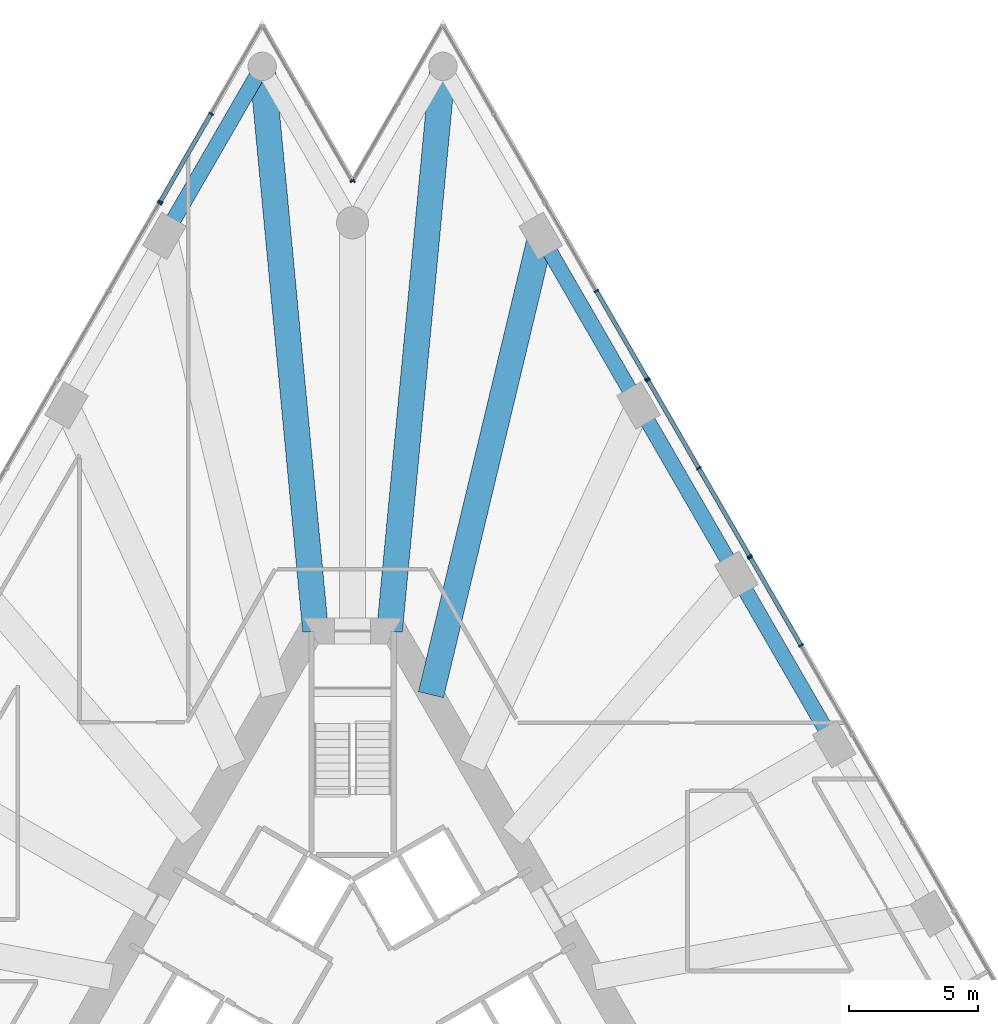
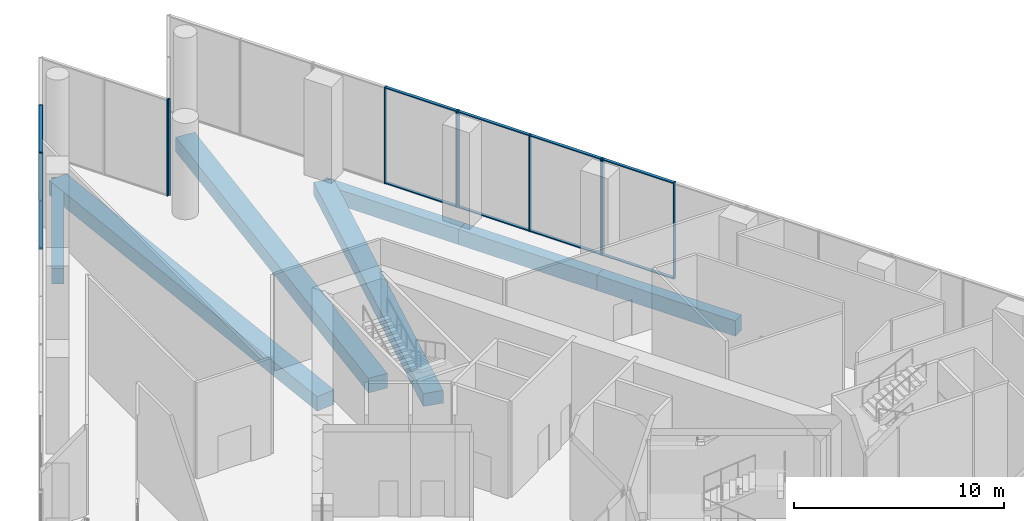
# One storey, part 17 of 36: 22 members, 7 beams, 7 elements without a shape of their own.
"""IFC4 building model written with IfcOpenShell, lengths in metres."""

from ifc_helpers import new_model, si_unit, direction, frame, origin, origin_2d, place, context, subcontext, project, spatial, rectangle, extrude, material, layer, layer_set, material_profile, profile_set, type_object, element, aggregate, save


model = new_model("IFC4")

# Units and contexts
model_context = context("Model", 3, precision=1e-05, world=origin(), true_north=direction((0.0, 1.0)))
body_context = subcontext(model_context, "Body", "Model", "MODEL_VIEW")
ifc_project = project(units=[si_unit("LENGTHUNIT", "METRE"), si_unit("AREAUNIT", "SQUARE_METRE"), si_unit("VOLUMEUNIT", "CUBIC_METRE"), si_unit("PLANEANGLEUNIT", "RADIAN"), si_unit("MASSUNIT", "GRAM", prefix="KILO")], contexts=[model_context])

# Site, building, storey
site_placement = place(None, origin())
site = spatial("IfcSite", under=ifc_project, at=site_placement, CompositionType="ELEMENT")
building_placement = place(site_placement, origin())
building = spatial("IfcBuilding", under=site, at=building_placement, Name="Triada Interchange Tower", CompositionType="ELEMENT")
storey_placement = place(building_placement, frame((0.0, 0.0, 8.5)))
storey = spatial("IfcBuildingStorey", under=building, at=storey_placement, Name="L01", CompositionType="ELEMENT", Elevation=8.5)

# Curtain wall, members
ifc_material_1 = material(Name="Aluminium framed glazing", Category="aluminium")
ifc_layer_1 = layer(ifc_material_1, 0.199951171875)
ifc_layer_set_1 = layer_set([ifc_layer_1], Name="Curtain wall Concourse glazed screen")
curtain_wall_type_1 = type_object("IfcCurtainWallType", Name="Curtain wall Concourse glazed screen", PredefinedType="NOTDEFINED", material=ifc_layer_set_1)
curtain_wall_1_placement = place(storey_placement, origin())
curtain_wall_1 = element("IfcCurtainWall", 1, at=curtain_wall_1_placement, inside=storey, type_object=curtain_wall_type_1, Name="Concourse glazed screen CW021 L01", PredefinedType="NOTDEFINED")
ifc_material_2 = material(Name="Aluminium", Category="aluminium")
ifc_material_profile_1 = material_profile(ifc_material_2, rectangle(XDim=0.199951171875, YDim=0.06005859375, at=origin_2d()), Name="Aluminium mullion")
ifc_profile_set_1 = profile_set([ifc_material_profile_1], Name="Aluminium")
member_type_1 = type_object("IfcMemberType", Name="Mullion Concourse glazed screen 200x60", PredefinedType="MULLION", material=ifc_profile_set_1)
member_1_placement = place(storey_placement, frame((17.41259765625, 14.640380859375, 0.0), z_axis=(0.0, 0.0, 1.0), x_axis=(-0.866086968603, -0.499893351442, 0.0)))
member_1 = element("IfcMember", 2, at=member_1_placement, type_object=member_type_1, Name="CW021 mullion 2", PredefinedType="MULLION", context=body_context, shape_type="SweptSolid", body=[
    extrude(rectangle(XDim=0.199951171875, YDim=0.06005859375, at=origin_2d()), origin(), (0.0, 0.0, 1.0), 5.60009765625),
])
member_2_placement = place(storey_placement, frame((15.444091796875, 18.051025390625, 0.0), z_axis=(0.0, 0.0, 1.0), x_axis=(-0.866086968603, -0.499893351442, 0.0)))
member_2 = element("IfcMember", 3, at=member_2_placement, type_object=member_type_1, Name="CW021 mullion 3", PredefinedType="MULLION", context=body_context, shape_type="SweptSolid", body=[
    extrude(rectangle(XDim=0.199951171875, YDim=0.06005859375, at=origin_2d()), origin(), (0.0, 0.0, 1.0), 5.60009765625),
])

curtain_wall_2_placement = place(storey_placement, origin())
curtain_wall_2 = element("IfcCurtainWall", 4, at=curtain_wall_2_placement, inside=storey, type_object=curtain_wall_type_1, Name="Concourse glazed screen CW022 L01", PredefinedType="NOTDEFINED")
member_3_placement = place(storey_placement, frame((15.407958984375, 18.112060546875, 0.0), z_axis=(0.0, 0.0, 1.0), x_axis=(-0.866055473648, -0.499947913852, 0.0)))
member_3 = element("IfcMember", 5, at=member_3_placement, type_object=member_type_1, Name="CW022 mullion 1", PredefinedType="MULLION", context=body_context, shape_type="SweptSolid", body=[
    extrude(rectangle(XDim=0.199951171875, YDim=0.06005859375, at=origin_2d()), origin(), (0.0, 0.0, 1.0), 5.60009765625),
])
member_4_placement = place(storey_placement, frame((13.439453125, 21.52197265625, 0.0), z_axis=(0.0, 0.0, 1.0), x_axis=(-0.866055473648, -0.499947913852, 0.0)))
member_4 = element("IfcMember", 6, at=member_4_placement, type_object=member_type_1, Name="CW022 mullion 2", PredefinedType="MULLION", context=body_context, shape_type="SweptSolid", body=[
    extrude(rectangle(XDim=0.199951171875, YDim=0.06005859375, at=origin_2d()), origin(), (0.0, 0.0, 1.0), 5.60009765625),
])
member_5_placement = place(storey_placement, frame((11.470947265625, 24.93212890625, 0.0), z_axis=(0.0, 0.0, 1.0), x_axis=(-0.866055473648, -0.499947913852, 0.0)))
member_5 = element("IfcMember", 7, at=member_5_placement, type_object=member_type_1, Name="CW022 mullion 3", PredefinedType="MULLION", context=body_context, shape_type="SweptSolid", body=[
    extrude(rectangle(XDim=0.199951171875, YDim=0.06005859375, at=origin_2d()), origin(), (0.0, 0.0, 1.0), 5.60009765625),
])

curtain_wall_3_placement = place(storey_placement, origin())
curtain_wall_3 = element("IfcCurtainWall", 8, at=curtain_wall_3_placement, inside=storey, type_object=curtain_wall_type_1, Name="Concourse glazed screen CW023 L01", PredefinedType="NOTDEFINED")
member_6_placement = place(storey_placement, frame((11.43505859375, 24.992919921875, 0.0), z_axis=(0.0, 0.0, 1.0), x_axis=(-0.866055473648, -0.499947913852, 0.0)))
member_6 = element("IfcMember", 9, at=member_6_placement, type_object=member_type_1, Name="CW023 mullion 1", PredefinedType="MULLION", context=body_context, shape_type="SweptSolid", body=[
    extrude(rectangle(XDim=0.199951171875, YDim=0.06005859375, at=origin_2d()), origin(), (0.0, 0.0, 1.0), 5.60009765625),
])
member_7_placement = place(storey_placement, frame((9.466552734375, 28.403076171875, 0.0), z_axis=(0.0, 0.0, 1.0), x_axis=(-0.866055473648, -0.499947913852, 0.0)))
member_7 = element("IfcMember", 10, at=member_7_placement, type_object=member_type_1, Name="CW023 mullion 2", PredefinedType="MULLION", context=body_context, shape_type="SweptSolid", body=[
    extrude(rectangle(XDim=0.199951171875, YDim=0.06005859375, at=origin_2d()), origin(), (0.0, 0.0, 1.0), 5.60009765625),
])

curtain_wall_4_placement = place(storey_placement, origin())
curtain_wall_4 = element("IfcCurtainWall", 11, at=curtain_wall_4_placement, inside=storey, type_object=curtain_wall_type_1, Name="Concourse glazed screen CW027 L01", PredefinedType="NOTDEFINED")
member_8_placement = place(storey_placement, frame((-5.491943359375, 35.28662109375, 0.0), z_axis=(0.0, 0.0, 1.0), x_axis=(0.86604927658, -0.499958648825, 0.0)))
member_8 = element("IfcMember", 12, at=member_8_placement, type_object=member_type_1, Name="CW027 mullion 2", PredefinedType="MULLION", context=body_context, shape_type="SweptSolid", body=[
    extrude(rectangle(XDim=0.199951171875, YDim=0.06005859375, at=origin_2d()), origin(), (0.0, 0.0, 1.0), 5.60009765625),
])
member_9_placement = place(storey_placement, frame((-7.4619140625, 31.8740234375, 0.0), z_axis=(0.0, 0.0, 1.0), x_axis=(0.86604927658, -0.499958648825, 0.0)))
member_9 = element("IfcMember", 13, at=member_9_placement, type_object=member_type_1, Name="CW027 mullion 3", PredefinedType="MULLION", context=body_context, shape_type="SweptSolid", body=[
    extrude(rectangle(XDim=0.199951171875, YDim=0.06005859375, at=origin_2d()), origin(), (0.0, 0.0, 1.0), 5.60009765625),
])

# Curtain wall, member
curtain_wall_5_placement = place(storey_placement, origin())
curtain_wall_5 = element("IfcCurtainWall", 14, at=curtain_wall_5_placement, inside=storey, type_object=curtain_wall_type_1, Name="Concourse glazed screen CW028 L01", PredefinedType="NOTDEFINED")
member_10_placement = place(storey_placement, frame((-7.498046875, 31.81298828125, 0.0), z_axis=(0.0, 0.0, 1.0), x_axis=(0.866055473648, -0.499947913852, 0.0)))
member_10 = element("IfcMember", 15, at=member_10_placement, type_object=member_type_1, Name="CW028 mullion 1", PredefinedType="MULLION", context=body_context, shape_type="SweptSolid", body=[
    extrude(rectangle(XDim=0.199951171875, YDim=0.06005859375, at=origin_2d()), origin(), (0.0, 0.0, 1.0), 5.60009765625),
])
aggregate(curtain_wall_5, [member_10])

ifc_layer_2 = layer(ifc_material_1, 0.199951171875)
ifc_layer_set_2 = layer_set([ifc_layer_2], Name="Curtain wall Tower lobby glazing")
curtain_wall_type_2 = type_object("IfcCurtainWallType", Name="Curtain wall Tower lobby glazing", PredefinedType="NOTDEFINED", material=ifc_layer_set_2)
curtain_wall_6_placement = place(storey_placement, origin())
curtain_wall_6 = element("IfcCurtainWall", 16, at=curtain_wall_6_placement, inside=storey, type_object=curtain_wall_type_2, Name="Tower lobby glazing CW025 L01", PredefinedType="NOTDEFINED")
ifc_material_profile_2 = material_profile(ifc_material_2, rectangle(XDim=0.179931640625, YDim=0.06005859375, at=origin_2d()), Name="Aluminium mullion")
ifc_profile_set_2 = profile_set([ifc_material_profile_2], Name="Aluminium")
member_type_2 = type_object("IfcMemberType", Name="Mullion Tower lobby glazing 180x60", PredefinedType="MULLION", material=ifc_profile_set_2)
member_11_placement = place(storey_placement, frame((0.014892578125, 32.676025390625, 0.0), z_axis=(0.0, 0.0, 1.0), x_axis=(0.866050272896, -0.499956922962, 0.0)))
member_11 = element("IfcMember", 17, at=member_11_placement, type_object=member_type_2, Name="CW025 mullion 3", PredefinedType="MULLION", context=body_context, shape_type="SweptSolid", body=[
    extrude(rectangle(XDim=0.179931640625, YDim=0.06005859375, at=origin_2d()), origin(), (0.0, 0.0, 1.0), 5.60009765625),
])
aggregate(curtain_wall_6, [member_11])

curtain_wall_7_placement = place(storey_placement, origin())
curtain_wall_7 = element("IfcCurtainWall", 18, at=curtain_wall_7_placement, inside=storey, type_object=curtain_wall_type_2, Name="Tower lobby glazing CW026 L01", PredefinedType="NOTDEFINED")
member_12_placement = place(storey_placement, frame((-0.014892578125, 32.676025390625, 0.0), z_axis=(0.0, 0.0, 1.0), x_axis=(-0.866050272896, -0.499956922962, 0.0)))
member_12 = element("IfcMember", 19, at=member_12_placement, type_object=member_type_2, Name="CW026 mullion 1", PredefinedType="MULLION", context=body_context, shape_type="SweptSolid", body=[
    extrude(rectangle(XDim=0.179931640625, YDim=0.06005859375, at=origin_2d()), origin(), (0.0, 0.0, 1.0), 5.60009765625),
])
aggregate(curtain_wall_7, [member_12])

# Beams
ifc_material_3 = material(Name="Concrete C50/60", Category="concrete")
ifc_material_profile_3 = material_profile(ifc_material_3, rectangle(XDim=1.0, YDim=0.75, at=origin_2d()), Name="RC 1000x750")
ifc_profile_set_3 = profile_set([ifc_material_profile_3], Name="Concrete C50/60")
beam_type_1 = type_object("IfcBeamType", Name="Radial band beam P RC 1000x750", PredefinedType="BEAM", material=ifc_profile_set_3)
beam_1_placement = place(storey_placement, frame((7.306884765625, 30.5439453125, -0.77490234375), z_axis=(-0.232645559645, -0.972561588578, 0.0), x_axis=(0.972561588578, -0.232645559645, 0.0)))
element("IfcBeam", 20, at=beam_1_placement, inside=storey, type_object=beam_type_1, Name="Radial band beam BP28 L01", PredefinedType="BEAM", context=body_context, shape_type="SweptSolid", body=[
    extrude(rectangle(XDim=1.0, YDim=0.75, at=origin_2d()), origin(), (0.0, 0.0, 1.0), 18.319580078125),
])
ifc_material_profile_4 = material_profile(ifc_material_3, rectangle(XDim=1.0, YDim=0.85009765625, at=origin_2d()), Name="RC 1000x850")
ifc_profile_set_4 = profile_set([ifc_material_profile_4], Name="Concrete C50/60")
beam_type_2 = type_object("IfcBeamType", Name="Radial band beam P RC 1000x850", PredefinedType="BEAM", material=ifc_profile_set_4)
for number, where, z_axis, x_axis, name in (
    (21, (-3.507080078125, 37.125, -0.824951171875), (0.094041597071, -0.99556826889, 0.0), (0.99556826889, 0.094041597071, 0.0), "Radial band beam BP01 L01"),
    (22, (3.507080078125, 37.125, -0.824951171875), (-0.094041597071, -0.99556826889, 0.0), (0.99556826889, -0.094041597071, 0.0), "Radial band beam BP29 L01"),
):
    element("IfcBeam", number, at=place(storey_placement, frame(where, z_axis=z_axis, x_axis=x_axis)), inside=storey, type_object=beam_type_2, Name=name, PredefinedType="BEAM", context=body_context, shape_type="SweptSolid", body=[
        extrude(rectangle(XDim=1.0, YDim=0.85009765625, at=origin_2d()), origin(), (0.0, 0.0, 1.0), 22.022705078125),
    ])
ifc_material_profile_5 = material_profile(ifc_material_3, rectangle(XDim=0.60009765625, YDim=0.89990234375, at=origin_2d()), Name="RC 600x900")
ifc_profile_set_5 = profile_set([ifc_material_profile_5], Name="Concrete C50/60")
beam_type_3 = type_object("IfcBeamType", Name="Spandrel beam P RC 600x900", PredefinedType="BEAM", material=ifc_profile_set_5)
for number, where, z_axis, x_axis, name in (
    (23, (-3.507080078125, 37.125, -0.85009765625), (-0.500022797313, -0.86601224135, 0.0), (0.86601224135, -0.500022797313, 0.0), "Spandrel beam EP01 L01"),
    (24, (18.7060546875, 10.800048828125, -0.85009765625), (-0.500046891162, 0.865998329467, 0.0), (-0.865998329467, -0.500046891162, 0.0), "Spandrel beam EP25 L01"),
):
    element("IfcBeam", number, at=place(storey_placement, frame(where, z_axis=z_axis, x_axis=x_axis)), inside=storey, type_object=beam_type_3, Name=name, PredefinedType="BEAM", context=body_context, shape_type="SweptSolid", body=[
        extrude(rectangle(XDim=0.60009765625, YDim=0.89990234375, at=origin_2d()), origin(), (0.0, 0.0, 1.0), 7.599365234375),
    ])
beam_2_placement = place(storey_placement, frame((14.906005859375, 17.381103515625, -0.85009765625), z_axis=(-0.500060803479, 0.865990296034, 0.0), x_axis=(-0.865990296034, -0.500060803479, 0.0)))
element("IfcBeam", 25, at=beam_2_placement, inside=storey, type_object=beam_type_3, Name="Spandrel beam EP26 L01", PredefinedType="BEAM", context=body_context, shape_type="SweptSolid", body=[
    extrude(rectangle(XDim=0.60009765625, YDim=0.89990234375, at=origin_2d()), origin(), (0.0, 0.0, 1.0), 7.59912109375),
])
beam_3_placement = place(storey_placement, frame((11.10595703125, 23.9619140625, -0.85009765625), z_axis=(-0.499894869559, 0.866086092366, 0.0), x_axis=(-0.866086092366, -0.499894869559, 0.0)))
element("IfcBeam", 26, at=beam_3_placement, inside=storey, type_object=beam_type_3, Name="Spandrel beam EP27 L01", PredefinedType="BEAM", context=body_context, shape_type="SweptSolid", body=[
    extrude(rectangle(XDim=0.60009765625, YDim=0.89990234375, at=origin_2d()), origin(), (0.0, 0.0, 1.0), 7.599853515625),
])

# Member
ifc_material_profile_6 = material_profile(ifc_material_2, rectangle(XDim=0.159912109375, YDim=0.06005859375, at=origin_2d()), Name="Aluminium transom")
ifc_profile_set_6 = profile_set([ifc_material_profile_6], Name="Aluminium")
member_type_3 = type_object("IfcMemberType", Name="Transom Concourse glazed screen 160x60", PredefinedType="USERDEFINED", material=ifc_profile_set_6)
member_13_placement = place(storey_placement, frame((17.3974609375, 14.66650390625, 0.030029296875), z_axis=(-0.499876867849, 0.866096482494, 0.0), x_axis=(-0.866096482494, -0.499876867849, 0.0)))
member_13 = element("IfcMember", 27, at=member_13_placement, type_object=member_type_3, Name="CW021 transom 2.1", ObjectType="TRANSOM", PredefinedType="USERDEFINED", context=body_context, shape_type="SweptSolid", body=[
    extrude(rectangle(XDim=0.159912109375, YDim=0.06005859375, at=origin_2d()), origin(), (0.0, 0.0, 1.0), 3.8779296875),
])

member_14_placement = place(storey_placement, frame((17.3974609375, 14.66650390625, 5.570068359375), z_axis=(-0.499876867849, 0.866096482494, 0.0), x_axis=(-0.866096482494, -0.499876867849, 0.0)))
member_14 = element("IfcMember", 28, at=member_14_placement, type_object=member_type_3, Name="CW021 transom 2.2", ObjectType="TRANSOM", PredefinedType="USERDEFINED", context=body_context, shape_type="SweptSolid", body=[
    extrude(rectangle(XDim=0.159912109375, YDim=0.06005859375, at=origin_2d()), origin(), (0.0, 0.0, 1.0), 3.8779296875),
])

aggregate(curtain_wall_1, [member_1, member_2, member_13, member_14])

member_15_placement = place(storey_placement, frame((15.39306640625, 18.137939453125, 0.030029296875), z_axis=(-0.499931386026, 0.866065014457, 0.0), x_axis=(-0.866065014457, -0.499931386026, 0.0)))
member_15 = element("IfcMember", 29, at=member_15_placement, type_object=member_type_3, Name="CW022 transom 1.1", ObjectType="TRANSOM", PredefinedType="USERDEFINED", context=body_context, shape_type="SweptSolid", body=[
    extrude(rectangle(XDim=0.159912109375, YDim=0.06005859375, at=origin_2d()), origin(), (0.0, 0.0, 1.0), 3.87744140625),
])

member_16_placement = place(storey_placement, frame((15.39306640625, 18.137939453125, 5.570068359375), z_axis=(-0.499931386026, 0.866065014457, 0.0), x_axis=(-0.866065014457, -0.499931386026, 0.0)))
member_16 = element("IfcMember", 30, at=member_16_placement, type_object=member_type_3, Name="CW022 transom 1.2", ObjectType="TRANSOM", PredefinedType="USERDEFINED", context=body_context, shape_type="SweptSolid", body=[
    extrude(rectangle(XDim=0.159912109375, YDim=0.06005859375, at=origin_2d()), origin(), (0.0, 0.0, 1.0), 3.87744140625),
])

member_17_placement = place(storey_placement, frame((13.424560546875, 21.548095703125, 0.030029296875), z_axis=(-0.499958648831, 0.866049276577, 0.0), x_axis=(-0.866049276577, -0.499958648831, 0.0)))
member_17 = element("IfcMember", 31, at=member_17_placement, type_object=member_type_3, Name="CW022 transom 2.1", ObjectType="TRANSOM", PredefinedType="USERDEFINED", context=body_context, shape_type="SweptSolid", body=[
    extrude(rectangle(XDim=0.159912109375, YDim=0.06005859375, at=origin_2d()), origin(), (0.0, 0.0, 1.0), 3.877197265625),
])

member_18_placement = place(storey_placement, frame((13.424560546875, 21.548095703125, 5.570068359375), z_axis=(-0.499958648831, 0.866049276577, 0.0), x_axis=(-0.866049276577, -0.499958648831, 0.0)))
member_18 = element("IfcMember", 32, at=member_18_placement, type_object=member_type_3, Name="CW022 transom 2.2", ObjectType="TRANSOM", PredefinedType="USERDEFINED", context=body_context, shape_type="SweptSolid", body=[
    extrude(rectangle(XDim=0.159912109375, YDim=0.06005859375, at=origin_2d()), origin(), (0.0, 0.0, 1.0), 3.877197265625),
])

aggregate(curtain_wall_2, [member_3, member_4, member_5, member_15, member_16, member_17, member_18])

member_19_placement = place(storey_placement, frame((11.419921875, 25.01904296875, 0.030029296875), z_axis=(-0.499958648831, 0.866049276577, 0.0), x_axis=(-0.866049276577, -0.499958648831, 0.0)))
member_19 = element("IfcMember", 33, at=member_19_placement, type_object=member_type_3, Name="CW023 transom 1.1", ObjectType="TRANSOM", PredefinedType="USERDEFINED", context=body_context, shape_type="SweptSolid", body=[
    extrude(rectangle(XDim=0.159912109375, YDim=0.06005859375, at=origin_2d()), origin(), (0.0, 0.0, 1.0), 3.877197265625),
])

member_20_placement = place(storey_placement, frame((11.419921875, 25.01904296875, 5.570068359375), z_axis=(-0.499958648831, 0.866049276577, 0.0), x_axis=(-0.866049276577, -0.499958648831, 0.0)))
member_20 = element("IfcMember", 34, at=member_20_placement, type_object=member_type_3, Name="CW023 transom 1.2", ObjectType="TRANSOM", PredefinedType="USERDEFINED", context=body_context, shape_type="SweptSolid", body=[
    extrude(rectangle(XDim=0.159912109375, YDim=0.06005859375, at=origin_2d()), origin(), (0.0, 0.0, 1.0), 3.877197265625),
])

aggregate(curtain_wall_3, [member_6, member_7, member_19, member_20])

member_21_placement = place(storey_placement, frame((-5.507080078125, 35.260498046875, 0.030029296875), z_axis=(-0.499942124791, -0.866058815473, 0.0), x_axis=(0.866058815473, -0.499942124791, 0.0)))
member_21 = element("IfcMember", 35, at=member_21_placement, type_object=member_type_3, Name="CW027 transom 2.1", ObjectType="TRANSOM", PredefinedType="USERDEFINED", context=body_context, shape_type="SweptSolid", body=[
    extrude(rectangle(XDim=0.159912109375, YDim=0.06005859375, at=origin_2d()), origin(), (0.0, 0.0, 1.0), 3.88037109375),
])

member_22_placement = place(storey_placement, frame((-5.507080078125, 35.260498046875, 5.570068359375), z_axis=(-0.499942124791, -0.866058815473, 0.0), x_axis=(0.866058815473, -0.499942124791, 0.0)))
member_22 = element("IfcMember", 36, at=member_22_placement, type_object=member_type_3, Name="CW027 transom 2.2", ObjectType="TRANSOM", PredefinedType="USERDEFINED", context=body_context, shape_type="SweptSolid", body=[
    extrude(rectangle(XDim=0.159912109375, YDim=0.06005859375, at=origin_2d()), origin(), (0.0, 0.0, 1.0), 3.88037109375),
])

aggregate(curtain_wall_4, [member_8, member_9, member_21, member_22])

save(model, "model.ifc")
